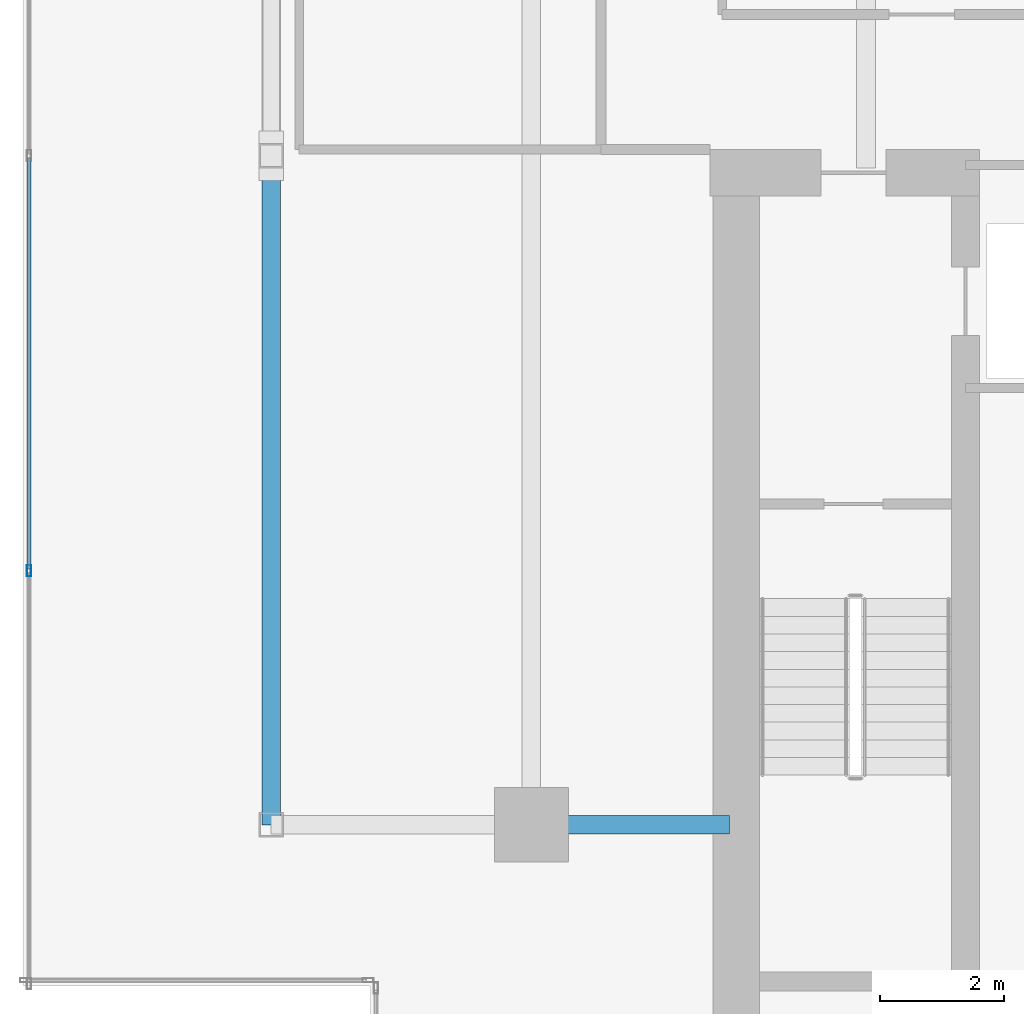
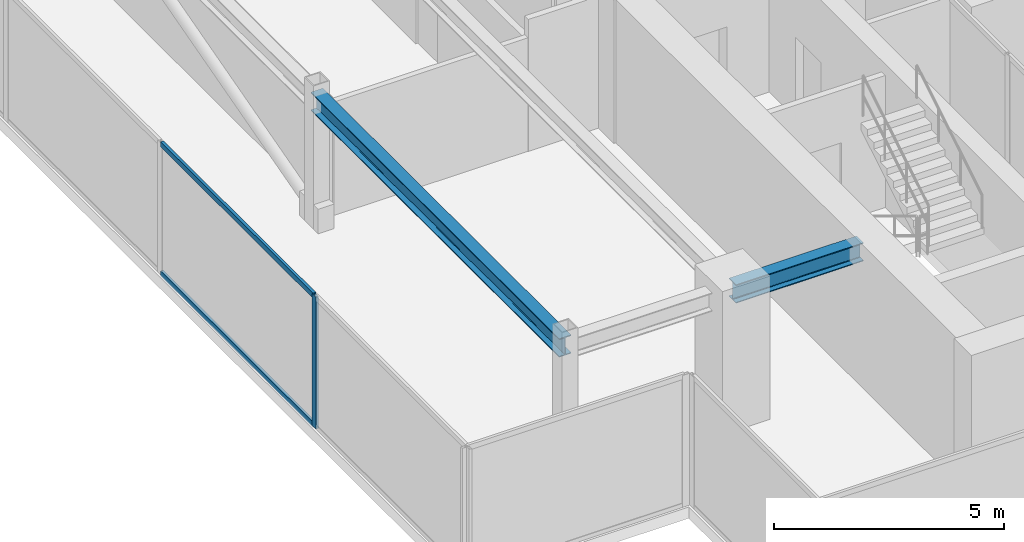
# One storey, part 4 of 25: 3 members, 2 beams, 1 element without a shape of its own.
"""IFC4 building model written with IfcOpenShell, lengths in metres."""

from ifc_helpers import new_model, si_unit, direction, frame, origin, origin_2d, place, context, subcontext, project, spatial, hollow_rectangle, i_section, extrude, source, transform, mapped, material, material_profile, profile_set, type_object, type_shapes, element, aggregate, save


model = new_model("IFC4")

# Units and contexts
model_context = context("Model", 3, precision=1e-05, world=origin(), true_north=direction((0.0, 1.0)))
body_context = subcontext(model_context, "Body", "Model", "MODEL_VIEW")
ifc_project = project(units=[si_unit("LENGTHUNIT", "METRE"), si_unit("AREAUNIT", "SQUARE_METRE"), si_unit("VOLUMEUNIT", "CUBIC_METRE"), si_unit("PLANEANGLEUNIT", "RADIAN"), si_unit("MASSUNIT", "GRAM", prefix="KILO")], contexts=[model_context])

# Site, building, storey
site_placement = place(None, origin())
site = spatial("IfcSite", under=ifc_project, at=site_placement, CompositionType="ELEMENT")
building_placement = place(site_placement, origin())
building = spatial("IfcBuilding", under=site, at=building_placement, Name="Krantzveldt Concourse Tower", CompositionType="ELEMENT")
storey_placement = place(building_placement, frame((0.0, 0.0, 367.050048828125)))
storey = spatial("IfcBuildingStorey", under=building, at=storey_placement, Name="L90", CompositionType="ELEMENT", Elevation=367.050048828125)

# Beams
ifc_material_1 = material(Name="Steel S355JR", Category="steel")
ifc_material_profile_1 = material_profile(ifc_material_1, i_section(OverallWidth=0.300048828125, OverallDepth=0.489990234375, WebThickness=0.011962890625, FlangeThickness=0.02294921875, FilletRadius=0.027099609375, at=origin_2d()), Name="Steel S355JR", Category="steel")
ifc_profile_set_1 = profile_set([ifc_material_profile_1], Name="Steel S355JR - HEA 500")
beam_type = type_object("IfcBeamType", Name="BM-B-HEA500", PredefinedType="BEAM", material=ifc_profile_set_1)
shared_shape_1 = source(origin(), body_context, "Body", "SweptSolid", [
    extrude(i_section(OverallWidth=0.300048828125, OverallDepth=0.489990234375, WebThickness=0.011962890625, FlangeThickness=0.02294921875, FilletRadius=0.027099609375, at=origin_2d()), origin(), (0.0, 0.0, 1.0), 10.800048828125),
])
beam_1_placement = place(storey_placement, frame((21.0, 15.89990234375, 3.2548828125), z_axis=(0.0, 1.0, 0.0), x_axis=(-1.0, 0.0, 0.0)))
element("IfcBeam", 1, at=beam_1_placement, inside=storey, type_object=beam_type, Name="L90 Crown Girder WEST-1", PredefinedType="BEAM", context=body_context, shape_type="MappedRepresentation", body=[
    mapped(shared_shape_1, transform((0.0, 0.0, 0.0), x_axis=(1.0, 0.0, 0.0), y_axis=(0.0, 1.0, 0.0), z_axis=(0.0, 0.0, 1.0), scale=1.0)),
])
shared_shape_2 = source(origin(), body_context, "Body", "SweptSolid", [
    extrude(i_section(OverallWidth=0.300048828125, OverallDepth=0.489990234375, WebThickness=0.011962890625, FlangeThickness=0.02294921875, FilletRadius=0.027099609375, at=origin_2d()), origin(), (0.0, 0.0, 1.0), 3.199951171875),
])
type_shapes(beam_type, [shared_shape_1, shared_shape_2])
beam_2_placement = place(storey_placement, frame((25.199951171875, 15.89990234375, 3.2548828125), z_axis=(1.0, 0.0, 0.0), x_axis=(0.0, 1.0, 0.0)))
element("IfcBeam", 2, at=beam_2_placement, inside=storey, type_object=beam_type, Name="L90 Crown Girder WEST-7", PredefinedType="BEAM", context=body_context, shape_type="MappedRepresentation", body=[
    mapped(shared_shape_2, transform((0.0, 0.0, 0.0), x_axis=(1.0, 0.0, 0.0), y_axis=(0.0, 1.0, 0.0), z_axis=(0.0, 0.0, 1.0), scale=1.0)),
])

# Curtain wall, members
ifc_material_2 = material(Name="Anodised aluminium 6063-T6", Category="aluminium")
curtain_wall_type = type_object("IfcCurtainWallType", Name="CW7", PredefinedType="USERDEFINED", material=ifc_material_2)
curtain_wall_placement = place(storey_placement, origin())
curtain_wall = element("IfcCurtainWall", 3, at=curtain_wall_placement, inside=storey, type_object=curtain_wall_type, Name="CW-L90-WEST-05", ObjectType="UNITISED CURTAIN WALL", PredefinedType="USERDEFINED")
ifc_material_profile_2 = material_profile(ifc_material_2, hollow_rectangle(XDim=0.070068359375, YDim=0.139892578125, WallThickness=0.0048828125, at=origin_2d()), Name="Anodised aluminium 6063-T6", Category="aluminium")
ifc_profile_set_2 = profile_set([ifc_material_profile_2], Name="Anodised aluminium 6063-T6 - ALU-TRAN 140x70x5")
member_type_1 = type_object("IfcMemberType", Name="CW-TRN-150", PredefinedType="USERDEFINED", material=ifc_profile_set_2)
shared_shape_3 = source(origin(), body_context, "Body", "SweptSolid", [
    extrude(hollow_rectangle(XDim=0.070068359375, YDim=0.139892578125, WallThickness=0.0048828125, at=origin_2d()), origin(), (0.0, 0.0, 1.0), 6.630126953125),
])
type_shapes(member_type_1, [shared_shape_3])
member_1_placement = place(storey_placement, frame((17.090087890625, 26.6650390625, 0.034912109375), z_axis=(0.0, -1.0, 0.0), x_axis=(1.0, 0.0, 0.0)))
member_1 = element("IfcMember", 4, at=member_1_placement, type_object=member_type_1, Name="CW-CRN transom 3.1", ObjectType="TRANSOM", PredefinedType="USERDEFINED", context=body_context, shape_type="MappedRepresentation", body=[
    mapped(shared_shape_3, transform((0.0, 0.0, 0.0), x_axis=(1.0, 0.0, 0.0), y_axis=(0.0, 1.0, 0.0), z_axis=(0.0, 0.0, 1.0), scale=1.0)),
])
member_2_placement = place(storey_placement, frame((17.090087890625, 26.6650390625, 3.46484375), z_axis=(0.0, -1.0, 0.0), x_axis=(1.0, 0.0, 0.0)))
member_2 = element("IfcMember", 5, at=member_2_placement, type_object=member_type_1, Name="CW-CRN transom 3.2", ObjectType="TRANSOM", PredefinedType="USERDEFINED", context=body_context, shape_type="MappedRepresentation", body=[
    mapped(shared_shape_3, transform((0.0, 0.0, 0.0), x_axis=(1.0, 0.0, 0.0), y_axis=(0.0, 1.0, 0.0), z_axis=(0.0, 0.0, 1.0), scale=1.0)),
])
ifc_material_profile_3 = material_profile(ifc_material_2, hollow_rectangle(XDim=0.070068359375, YDim=0.179931640625, WallThickness=0.0048828125, at=origin_2d()), Name="Anodised aluminium 6063-T6", Category="aluminium")
ifc_profile_set_3 = profile_set([ifc_material_profile_3], Name="Anodised aluminium 6063-T6 - ALU-MULL 180x70x5")
member_type_2 = type_object("IfcMemberType", Name="CW-MUL-180", PredefinedType="MULLION", material=ifc_profile_set_3)
shared_shape_4 = source(origin(), body_context, "Body", "SweptSolid", [
    extrude(hollow_rectangle(XDim=0.070068359375, YDim=0.179931640625, WallThickness=0.0048828125, at=origin_2d()), origin(), (0.0, 0.0, 1.0), 3.5),
])
type_shapes(member_type_2, [shared_shape_4])
member_3_placement = place(storey_placement, frame((17.090087890625, 20.0, 0.0), z_axis=(0.0, 0.0, 1.0), x_axis=(1.0, 0.0, 0.0)))
member_3 = element("IfcMember", 6, at=member_3_placement, type_object=member_type_2, Name="CW-CRN mullion 4", PredefinedType="MULLION", context=body_context, shape_type="MappedRepresentation", body=[
    mapped(shared_shape_4, transform((0.0, 0.0, 0.0), x_axis=(1.0, 0.0, 0.0), y_axis=(0.0, 1.0, 0.0), z_axis=(0.0, 0.0, 1.0), scale=1.0)),
])
aggregate(curtain_wall, [member_3, member_1, member_2])

save(model, "model.ifc")
